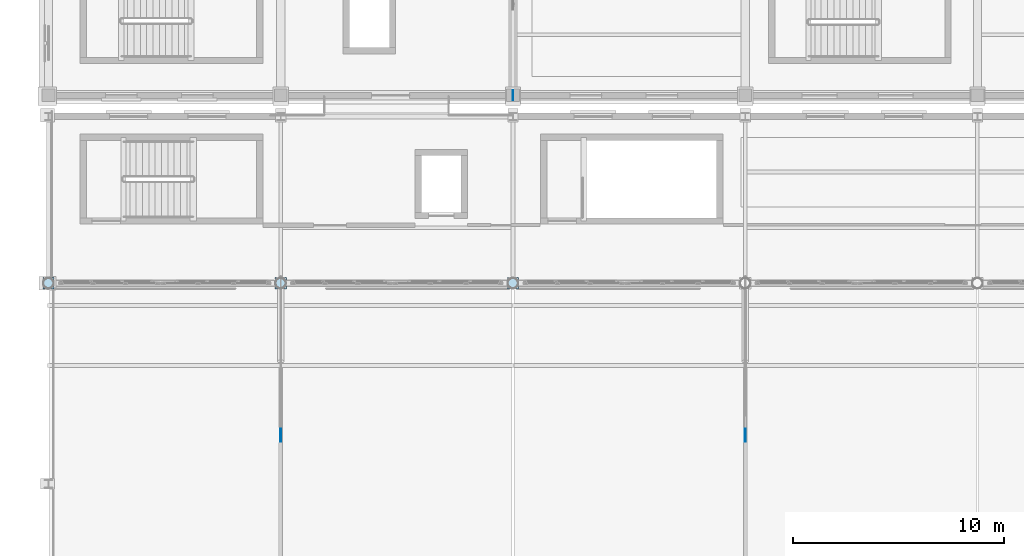
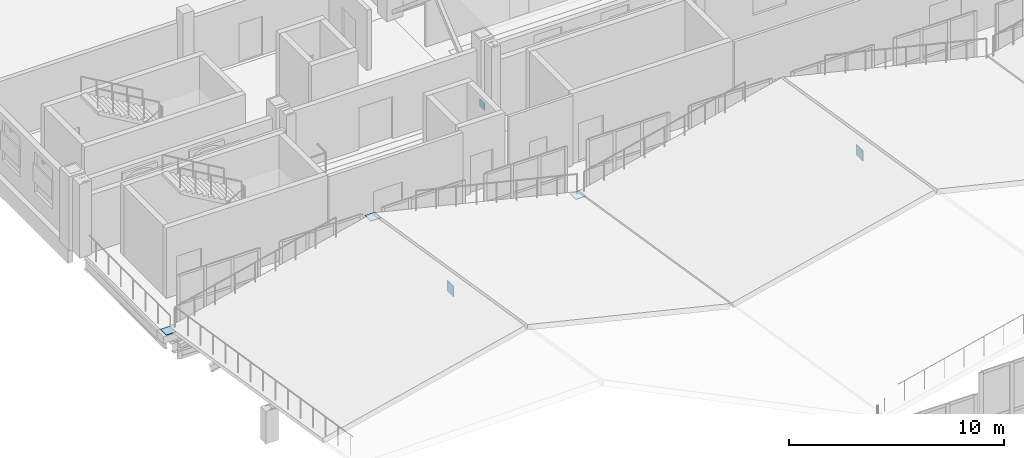
# One storey, part 89 of 120: 6 plates.
"""IFC4 building model written with IfcOpenShell, lengths in metres."""

from ifc_helpers import new_model, si_unit, direction, frame, origin, origin_2d, place, context, subcontext, project, spatial, rectangle, extrude, material, layer, layer_set, type_object, element, save


model = new_model("IFC4")

# Units and contexts
model_context = context("Model", 3, precision=1e-05, world=origin(), true_north=direction((0.0, 1.0)))
body_context = subcontext(model_context, "Body", "Model", "MODEL_VIEW")
ifc_project = project(units=[si_unit("LENGTHUNIT", "METRE"), si_unit("AREAUNIT", "SQUARE_METRE"), si_unit("VOLUMEUNIT", "CUBIC_METRE"), si_unit("PLANEANGLEUNIT", "RADIAN"), si_unit("MASSUNIT", "GRAM", prefix="KILO")], contexts=[model_context])

# Site, building, storey
site_placement = place(None, origin())
site = spatial("IfcSite", under=ifc_project, at=site_placement, CompositionType="ELEMENT")
building_placement = place(site_placement, origin())
building = spatial("IfcBuilding", under=site, at=building_placement, Name="Caurita Quay Ferry Terminal", CompositionType="ELEMENT")
storey_placement = place(building_placement, frame((0.0, 0.0, 9.89990234375)))
storey = spatial("IfcBuildingStorey", under=building, at=storey_placement, Name="L02", CompositionType="ELEMENT", Elevation=9.89990234375)

# Plates
ifc_material = material(Name="Structural plate steel ASTM A572 Gr. 50", Category="steel")
ifc_layer_1 = layer(ifc_material, 0.01806640625, Name="Structural steel connection plate 18 mm")
ifc_layer_set_1 = layer_set([ifc_layer_1], Name="Structural plate steel ASTM A572 Gr. 50")
plate_type_1 = type_object("IfcPlateType", Name="PLT-STL-18", PredefinedType="USERDEFINED", material=ifc_layer_set_1)
plate_placement = place(storey_placement, frame((22.0, 71.60009765625, -0.059814453125), z_axis=(0.0, 0.0, 1.0), x_axis=(0.0, 1.0, 0.0)))
element("IfcPlate", 1, at=plate_placement, inside=storey, type_object=plate_type_1, Name="L02 Seismic Brace Gusset 19-BSL", ObjectType="GUSSET PLATE", PredefinedType="USERDEFINED", context=body_context, shape_type="SweptSolid", body=[
    extrude(rectangle(XDim=0.47998046875, YDim=0.02490234375, at=origin_2d()), origin(), (0.0, 0.0, 1.0), 0.419921875),
])
ifc_layer_2 = layer(ifc_material, 0.031982421875, Name="Structural steel connection plate 32 mm")
ifc_layer_set_2 = layer_set([ifc_layer_2], Name="Structural plate steel ASTM A572 Gr. 50")
plate_type_2 = type_object("IfcPlateType", Name="PLT-STL-32", PredefinedType="USERDEFINED", material=ifc_layer_set_2)
for number, where, z_axis, x_axis, name in (
    (2, (0.0, 62.699951171875, 0.37890625), (0.0, 0.0, 1.0), (1.0, 0.0, 0.0), "Mast Top Cap Plate V1-01-N"),
    (3, (11.0, 62.699951171875, 2.9990234375), (0.0, 0.0, 1.0), (1.0, 0.0, 0.0), "Mast Top Cap Plate V1-02-N"),
    (4, (22.0, 62.699951171875, 0.37890625), (0.0, 0.0, 1.0), (1.0, 0.0, 0.0), "Mast Top Cap Plate V1-03-N"),
):
    element("IfcPlate", number, at=place(storey_placement, frame(where, z_axis=z_axis, x_axis=x_axis)), inside=storey, type_object=plate_type_2, Name=name, ObjectType="GUSSET PLATE", PredefinedType="USERDEFINED", context=body_context, shape_type="SweptSolid", body=[
        extrude(rectangle(XDim=0.5400390625, YDim=0.5400390625, at=origin_2d()), origin(), (0.0, 0.0, 1.0), 0.031982421875),
    ])
ifc_layer_3 = layer(ifc_material, 0.0400390625, Name="Structural steel connection plate 40 mm")
ifc_layer_set_3 = layer_set([ifc_layer_3], Name="Structural plate steel ASTM A572 Gr. 50")
plate_type_3 = type_object("IfcPlateType", Name="PLT-STL-40", PredefinedType="USERDEFINED", material=ifc_layer_set_3)
for number, where, z_axis, x_axis, name in (
    (5, (11.0, 55.5, 3.010009765625), (0.0, 0.0, 1.0), (1.0, 0.0, 0.0), "Girder Stay-Cable Anchorage Gusset V1-02-N1"),
    (6, (33.0, 55.5, 3.016357421875), (0.0, 0.0, 1.0), (1.0, 0.0, 0.0), "Girder Stay-Cable Anchorage Gusset V1-04-N1"),
):
    element("IfcPlate", number, at=place(storey_placement, frame(where, z_axis=z_axis, x_axis=x_axis)), inside=storey, type_object=plate_type_3, Name=name, ObjectType="GUSSET PLATE", PredefinedType="USERDEFINED", context=body_context, shape_type="SweptSolid", body=[
        extrude(rectangle(XDim=0.0400390625, YDim=0.60009765625, at=origin_2d()), origin(), (0.0, 0.0, 1.0), 0.60009765625),
    ])

save(model, "model.ifc")
